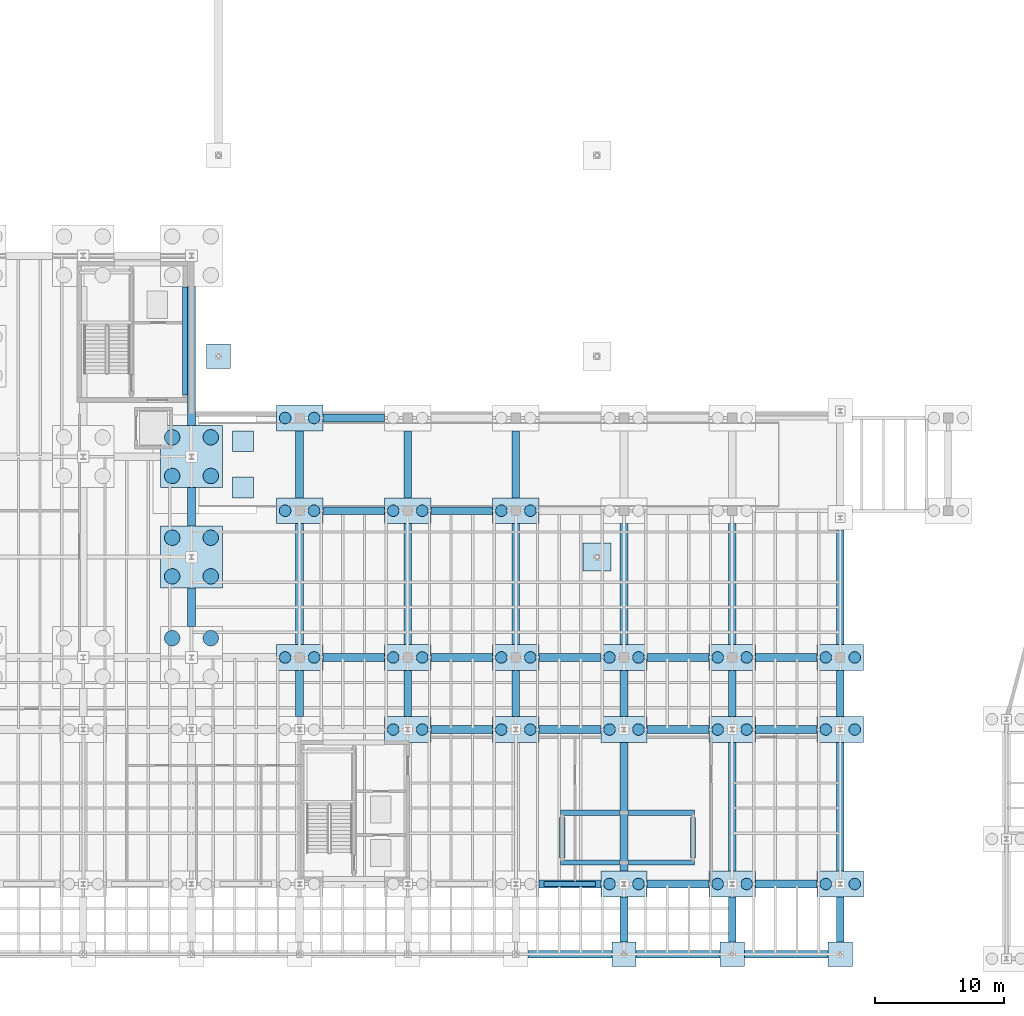
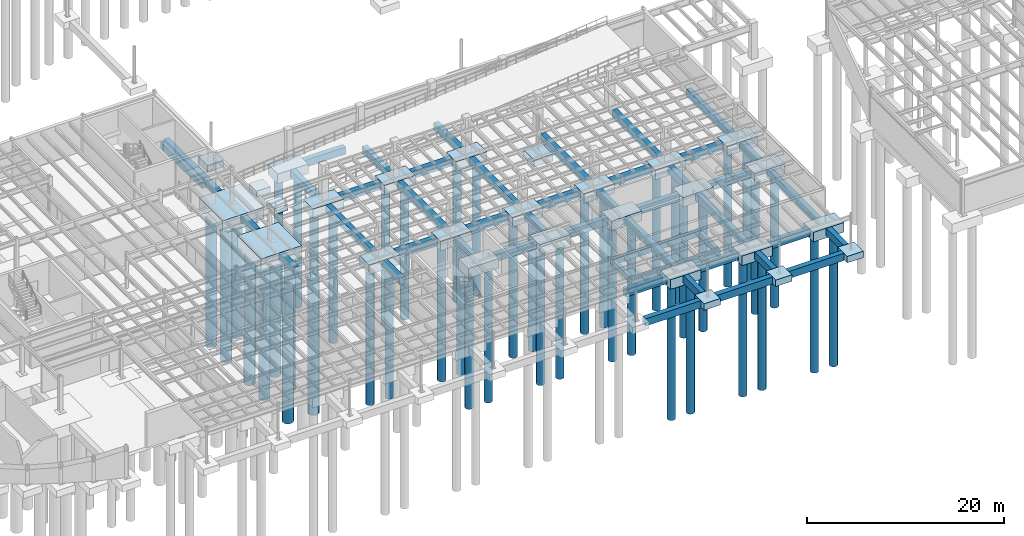
# One storey, part 3 of 41: 77 footings, 46 piles.
"""IFC4 building model written with IfcOpenShell, lengths in metres."""

from ifc_helpers import new_model, si_unit, direction, frame, origin, origin_2d, place, context, subcontext, project, spatial, rectangle, circle, extrude, material, material_profile, profile_set, type_object, element, save


model = new_model("IFC4")

# Units and contexts
model_context = context("Model", 3, precision=1e-05, world=origin(), true_north=direction((0.0, 1.0)))
body_context = subcontext(model_context, "Body", "Model", "MODEL_VIEW")
ifc_project = project(units=[si_unit("LENGTHUNIT", "METRE"), si_unit("AREAUNIT", "SQUARE_METRE"), si_unit("VOLUMEUNIT", "CUBIC_METRE"), si_unit("PLANEANGLEUNIT", "RADIAN"), si_unit("MASSUNIT", "GRAM", prefix="KILO")], contexts=[model_context])

# Site, building, storey
site_placement = place(None, origin())
site = spatial("IfcSite", under=ifc_project, at=site_placement, CompositionType="ELEMENT")
building_placement = place(site_placement, origin())
building = spatial("IfcBuilding", under=site, at=building_placement, Name="Selat Folded Stagehouse", CompositionType="ELEMENT")
storey_placement = place(building_placement, frame((0.0, 0.0, -4.5)))
storey = spatial("IfcBuildingStorey", under=building, at=storey_placement, Name="B1", CompositionType="ELEMENT", Elevation=-4.5)

# Footings
ifc_material = material(Name="Concrete C40/50", Category="concrete")
ifc_material_profile_1 = material_profile(ifc_material, rectangle(XDim=0.60009765625, YDim=0.89990234375, at=origin_2d()), Name="RC 900x600")
ifc_profile_set_1 = profile_set([ifc_material_profile_1], Name="Concrete C40/50")
footing_type_1 = type_object("IfcFootingType", Name="FTG-GB-600x900", PredefinedType="FOOTING_BEAM", material=ifc_profile_set_1)
for number, where, z_axis, x_axis, name in (
    (1, (93.35009765625, 0.35009765625, -0.449951171875), (1.0, 0.0, 0.0), (0.0, 1.0, 0.0), "Ground tie beam GB-X-010"),
    (2, (101.75, 0.35009765625, -0.449951171875), (1.0, 0.0, 0.0), (0.0, 1.0, 0.0), "Ground tie beam GB-X-011"),
    (3, (110.14990234375, 0.35009765625, -0.449951171875), (1.0, 0.0, 0.0), (0.0, 1.0, 0.0), "Ground tie beam GB-X-012"),
):
    element("IfcFooting", number, at=place(storey_placement, frame(where, z_axis=z_axis, x_axis=x_axis)), inside=storey, type_object=footing_type_1, Name=name, PredefinedType="FOOTING_BEAM", context=body_context, shape_type="SweptSolid", body=[
        extrude(rectangle(XDim=0.60009765625, YDim=0.89990234375, at=origin_2d()), origin(), (0.0, 0.0, 1.0), 6.5),
    ])
footing_1_placement = place(storey_placement, frame((94.199951171875, 5.800048828125, -0.449951171875), z_axis=(1.0, 0.0, 0.0), x_axis=(0.0, 1.0, 0.0)))
element("IfcFooting", 4, at=footing_1_placement, inside=storey, type_object=footing_type_1, Name="Ground tie beam GB-X-019", PredefinedType="FOOTING_BEAM", context=body_context, shape_type="SweptSolid", body=[
    extrude(rectangle(XDim=0.60009765625, YDim=0.89990234375, at=origin_2d()), origin(), (0.0, 0.0, 1.0), 4.800048828125),
])
footing_2_placement = place(storey_placement, frame((102.60009765625, 5.800048828125, -0.449951171875), z_axis=(1.0, 0.0, 0.0), x_axis=(0.0, 1.0, 0.0)))
element("IfcFooting", 5, at=footing_2_placement, inside=storey, type_object=footing_type_1, Name="Ground tie beam GB-X-020", PredefinedType="FOOTING_BEAM", context=body_context, shape_type="SweptSolid", body=[
    extrude(rectangle(XDim=0.60009765625, YDim=0.89990234375, at=origin_2d()), origin(), (0.0, 0.0, 1.0), 4.7998046875),
])
for number, where, z_axis, x_axis, name in (
    (6, (111.0, 5.800048828125, -0.449951171875), (1.0, 0.0, 0.0), (0.0, 1.0, 0.0), "Ground tie beam GB-X-021"),
    (7, (85.800048828125, 17.800048828125, -0.449951171875), (1.0, 0.0, 0.0), (0.0, 1.0, 0.0), "Ground tie beam GB-X-028"),
    (8, (94.199951171875, 17.800048828125, -0.449951171875), (1.0, 0.0, 0.0), (0.0, 1.0, 0.0), "Ground tie beam GB-X-029"),
):
    element("IfcFooting", number, at=place(storey_placement, frame(where, z_axis=z_axis, x_axis=x_axis)), inside=storey, type_object=footing_type_1, Name=name, PredefinedType="FOOTING_BEAM", context=body_context, shape_type="SweptSolid", body=[
        extrude(rectangle(XDim=0.60009765625, YDim=0.89990234375, at=origin_2d()), origin(), (0.0, 0.0, 1.0), 4.800048828125),
    ])
footing_3_placement = place(storey_placement, frame((102.60009765625, 17.800048828125, -0.449951171875), z_axis=(1.0, 0.0, 0.0), x_axis=(0.0, 1.0, 0.0)))
element("IfcFooting", 9, at=footing_3_placement, inside=storey, type_object=footing_type_1, Name="Ground tie beam GB-X-030", PredefinedType="FOOTING_BEAM", context=body_context, shape_type="SweptSolid", body=[
    extrude(rectangle(XDim=0.60009765625, YDim=0.89990234375, at=origin_2d()), origin(), (0.0, 0.0, 1.0), 4.7998046875),
])
for number, where, z_axis, x_axis, name in (
    (10, (111.0, 17.800048828125, -0.449951171875), (1.0, 0.0, 0.0), (0.0, 1.0, 0.0), "Ground tie beam GB-X-031"),
    (11, (77.39990234375, 23.39990234375, -0.449951171875), (1.0, 0.0, 0.0), (0.0, 1.0, 0.0), "Ground tie beam GB-X-040"),
    (12, (85.800048828125, 23.39990234375, -0.449951171875), (1.0, 0.0, 0.0), (0.0, 1.0, 0.0), "Ground tie beam GB-X-041"),
    (13, (94.199951171875, 23.39990234375, -0.449951171875), (1.0, 0.0, 0.0), (0.0, 1.0, 0.0), "Ground tie beam GB-X-042"),
):
    element("IfcFooting", number, at=place(storey_placement, frame(where, z_axis=z_axis, x_axis=x_axis)), inside=storey, type_object=footing_type_1, Name=name, PredefinedType="FOOTING_BEAM", context=body_context, shape_type="SweptSolid", body=[
        extrude(rectangle(XDim=0.60009765625, YDim=0.89990234375, at=origin_2d()), origin(), (0.0, 0.0, 1.0), 4.800048828125),
    ])
footing_4_placement = place(storey_placement, frame((102.60009765625, 23.39990234375, -0.449951171875), z_axis=(1.0, 0.0, 0.0), x_axis=(0.0, 1.0, 0.0)))
element("IfcFooting", 14, at=footing_4_placement, inside=storey, type_object=footing_type_1, Name="Ground tie beam GB-X-043", PredefinedType="FOOTING_BEAM", context=body_context, shape_type="SweptSolid", body=[
    extrude(rectangle(XDim=0.60009765625, YDim=0.89990234375, at=origin_2d()), origin(), (0.0, 0.0, 1.0), 4.7998046875),
])
for number, where, z_axis, x_axis, name in (
    (15, (111.0, 23.39990234375, -0.449951171875), (1.0, 0.0, 0.0), (0.0, 1.0, 0.0), "Ground tie beam GB-X-044"),
    (16, (77.39990234375, 34.800048828125, -0.449951171875), (1.0, 0.0, 0.0), (0.0, 1.0, 0.0), "Ground tie beam GB-X-051"),
    (17, (85.800048828125, 34.800048828125, -0.449951171875), (1.0, 0.0, 0.0), (0.0, 1.0, 0.0), "Ground tie beam GB-X-052"),
    (18, (77.39990234375, 42.0, -0.449951171875), (1.0, 0.0, 0.0), (0.0, 1.0, 0.0), "Ground tie beam GB-X-058"),
):
    element("IfcFooting", number, at=place(storey_placement, frame(where, z_axis=z_axis, x_axis=x_axis)), inside=storey, type_object=footing_type_1, Name=name, PredefinedType="FOOTING_BEAM", context=body_context, shape_type="SweptSolid", body=[
        extrude(rectangle(XDim=0.60009765625, YDim=0.89990234375, at=origin_2d()), origin(), (0.0, 0.0, 1.0), 4.800048828125),
    ])
for number, where, z_axis, x_axis, name in (
    (19, (67.199951171875, 25.800048828125, -0.449951171875), (0.0, 1.0, 0.0), (-1.0, 0.0, 0.0), "Ground tie beam GB-Y-113"),
    (20, (67.199951171875, 33.60009765625, -0.449951171875), (0.0, 1.0, 0.0), (-1.0, 0.0, 0.0), "Ground tie beam GB-Y-114"),
):
    element("IfcFooting", number, at=place(storey_placement, frame(where, z_axis=z_axis, x_axis=x_axis)), inside=storey, type_object=footing_type_1, Name=name, PredefinedType="FOOTING_BEAM", context=body_context, shape_type="SweptSolid", body=[
        extrude(rectangle(XDim=0.60009765625, YDim=0.89990234375, at=origin_2d()), origin(), (0.0, 0.0, 1.0), 3.0),
    ])
footing_5_placement = place(storey_placement, frame((67.199951171875, 41.39990234375, -0.449951171875), z_axis=(0.0, 1.0, 0.0), x_axis=(-1.0, 0.0, 0.0)))
element("IfcFooting", 21, at=footing_5_placement, inside=storey, type_object=footing_type_1, Name="Ground tie beam GB-Y-115", PredefinedType="FOOTING_BEAM", context=body_context, shape_type="SweptSolid", body=[
    extrude(rectangle(XDim=0.60009765625, YDim=0.89990234375, at=origin_2d()), origin(), (0.0, 0.0, 1.0), 10.800048828125),
])
footing_6_placement = place(storey_placement, frame((75.60009765625, 18.800048828125, -0.449951171875), z_axis=(0.0, 1.0, 0.0), x_axis=(-1.0, 0.0, 0.0)))
element("IfcFooting", 22, at=footing_6_placement, inside=storey, type_object=footing_type_1, Name="Ground tie beam GB-Y-119", PredefinedType="FOOTING_BEAM", context=body_context, shape_type="SweptSolid", body=[
    extrude(rectangle(XDim=0.60009765625, YDim=0.89990234375, at=origin_2d()), origin(), (0.0, 0.0, 1.0), 3.599853515625),
])
footing_7_placement = place(storey_placement, frame((75.60009765625, 24.39990234375, -0.449951171875), z_axis=(0.0, 1.0, 0.0), x_axis=(-1.0, 0.0, 0.0)))
element("IfcFooting", 23, at=footing_7_placement, inside=storey, type_object=footing_type_1, Name="Ground tie beam GB-Y-120", PredefinedType="FOOTING_BEAM", context=body_context, shape_type="SweptSolid", body=[
    extrude(rectangle(XDim=0.60009765625, YDim=0.89990234375, at=origin_2d()), origin(), (0.0, 0.0, 1.0), 9.400146484375),
])
footing_8_placement = place(storey_placement, frame((75.60009765625, 35.800048828125, -0.449951171875), z_axis=(0.0, 1.0, 0.0), x_axis=(-1.0, 0.0, 0.0)))
element("IfcFooting", 24, at=footing_8_placement, inside=storey, type_object=footing_type_1, Name="Ground tie beam GB-Y-121", PredefinedType="FOOTING_BEAM", context=body_context, shape_type="SweptSolid", body=[
    extrude(rectangle(XDim=0.60009765625, YDim=0.89990234375, at=origin_2d()), origin(), (0.0, 0.0, 1.0), 5.199951171875),
])
footing_9_placement = place(storey_placement, frame((84.0, 18.800048828125, -0.449951171875), z_axis=(0.0, 1.0, 0.0), x_axis=(-1.0, 0.0, 0.0)))
element("IfcFooting", 25, at=footing_9_placement, inside=storey, type_object=footing_type_1, Name="Ground tie beam GB-Y-124", PredefinedType="FOOTING_BEAM", context=body_context, shape_type="SweptSolid", body=[
    extrude(rectangle(XDim=0.60009765625, YDim=0.89990234375, at=origin_2d()), origin(), (0.0, 0.0, 1.0), 3.599853515625),
])
footing_10_placement = place(storey_placement, frame((84.0, 24.39990234375, -0.449951171875), z_axis=(0.0, 1.0, 0.0), x_axis=(-1.0, 0.0, 0.0)))
element("IfcFooting", 26, at=footing_10_placement, inside=storey, type_object=footing_type_1, Name="Ground tie beam GB-Y-125", PredefinedType="FOOTING_BEAM", context=body_context, shape_type="SweptSolid", body=[
    extrude(rectangle(XDim=0.60009765625, YDim=0.89990234375, at=origin_2d()), origin(), (0.0, 0.0, 1.0), 9.400146484375),
])
footing_11_placement = place(storey_placement, frame((84.0, 35.800048828125, -0.449951171875), z_axis=(0.0, 1.0, 0.0), x_axis=(-1.0, 0.0, 0.0)))
element("IfcFooting", 27, at=footing_11_placement, inside=storey, type_object=footing_type_1, Name="Ground tie beam GB-Y-126", PredefinedType="FOOTING_BEAM", context=body_context, shape_type="SweptSolid", body=[
    extrude(rectangle(XDim=0.60009765625, YDim=0.89990234375, at=origin_2d()), origin(), (0.0, 0.0, 1.0), 5.199951171875),
])
footing_12_placement = place(storey_placement, frame((92.39990234375, 18.800048828125, -0.449951171875), z_axis=(0.0, 1.0, 0.0), x_axis=(-1.0, 0.0, 0.0)))
element("IfcFooting", 28, at=footing_12_placement, inside=storey, type_object=footing_type_1, Name="Ground tie beam GB-Y-129", PredefinedType="FOOTING_BEAM", context=body_context, shape_type="SweptSolid", body=[
    extrude(rectangle(XDim=0.60009765625, YDim=0.89990234375, at=origin_2d()), origin(), (0.0, 0.0, 1.0), 3.599853515625),
])
footing_13_placement = place(storey_placement, frame((92.39990234375, 24.39990234375, -0.449951171875), z_axis=(0.0, 1.0, 0.0), x_axis=(-1.0, 0.0, 0.0)))
element("IfcFooting", 29, at=footing_13_placement, inside=storey, type_object=footing_type_1, Name="Ground tie beam GB-Y-130", PredefinedType="FOOTING_BEAM", context=body_context, shape_type="SweptSolid", body=[
    extrude(rectangle(XDim=0.60009765625, YDim=0.89990234375, at=origin_2d()), origin(), (0.0, 0.0, 1.0), 9.400146484375),
])
footing_14_placement = place(storey_placement, frame((92.39990234375, 35.800048828125, -0.449951171875), z_axis=(0.0, 1.0, 0.0), x_axis=(-1.0, 0.0, 0.0)))
element("IfcFooting", 30, at=footing_14_placement, inside=storey, type_object=footing_type_1, Name="Ground tie beam GB-Y-131", PredefinedType="FOOTING_BEAM", context=body_context, shape_type="SweptSolid", body=[
    extrude(rectangle(XDim=0.60009765625, YDim=0.89990234375, at=origin_2d()), origin(), (0.0, 0.0, 1.0), 5.199951171875),
])
footing_15_placement = place(storey_placement, frame((100.800048828125, 1.300048828125, -0.449951171875), z_axis=(0.0, 1.0, 0.0), x_axis=(-1.0, 0.0, 0.0)))
element("IfcFooting", 31, at=footing_15_placement, inside=storey, type_object=footing_type_1, Name="Ground tie beam GB-Y-134", PredefinedType="FOOTING_BEAM", context=body_context, shape_type="SweptSolid", body=[
    extrude(rectangle(XDim=0.60009765625, YDim=0.89990234375, at=origin_2d()), origin(), (0.0, 0.0, 1.0), 3.5),
])
footing_16_placement = place(storey_placement, frame((100.800048828125, 6.800048828125, -0.449951171875), z_axis=(0.0, 1.0, 0.0), x_axis=(-1.0, 0.0, 0.0)))
element("IfcFooting", 32, at=footing_16_placement, inside=storey, type_object=footing_type_1, Name="Ground tie beam GB-Y-135", PredefinedType="FOOTING_BEAM", context=body_context, shape_type="SweptSolid", body=[
    extrude(rectangle(XDim=0.60009765625, YDim=0.89990234375, at=origin_2d()), origin(), (0.0, 0.0, 1.0), 10.0),
])
footing_17_placement = place(storey_placement, frame((100.800048828125, 18.800048828125, -0.449951171875), z_axis=(0.0, 1.0, 0.0), x_axis=(-1.0, 0.0, 0.0)))
element("IfcFooting", 33, at=footing_17_placement, inside=storey, type_object=footing_type_1, Name="Ground tie beam GB-Y-136", PredefinedType="FOOTING_BEAM", context=body_context, shape_type="SweptSolid", body=[
    extrude(rectangle(XDim=0.60009765625, YDim=0.89990234375, at=origin_2d()), origin(), (0.0, 0.0, 1.0), 3.599853515625),
])
footing_18_placement = place(storey_placement, frame((100.800048828125, 24.39990234375, -0.449951171875), z_axis=(0.0, 1.0, 0.0), x_axis=(-1.0, 0.0, 0.0)))
element("IfcFooting", 34, at=footing_18_placement, inside=storey, type_object=footing_type_1, Name="Ground tie beam GB-Y-137", PredefinedType="FOOTING_BEAM", context=body_context, shape_type="SweptSolid", body=[
    extrude(rectangle(XDim=0.60009765625, YDim=0.89990234375, at=origin_2d()), origin(), (0.0, 0.0, 1.0), 9.400146484375),
])
footing_19_placement = place(storey_placement, frame((109.199951171875, 1.300048828125, -0.449951171875), z_axis=(0.0, 1.0, 0.0), x_axis=(-1.0, 0.0, 0.0)))
element("IfcFooting", 35, at=footing_19_placement, inside=storey, type_object=footing_type_1, Name="Ground tie beam GB-Y-139", PredefinedType="FOOTING_BEAM", context=body_context, shape_type="SweptSolid", body=[
    extrude(rectangle(XDim=0.60009765625, YDim=0.89990234375, at=origin_2d()), origin(), (0.0, 0.0, 1.0), 3.5),
])
footing_20_placement = place(storey_placement, frame((109.199951171875, 6.800048828125, -0.449951171875), z_axis=(0.0, 1.0, 0.0), x_axis=(-1.0, 0.0, 0.0)))
element("IfcFooting", 36, at=footing_20_placement, inside=storey, type_object=footing_type_1, Name="Ground tie beam GB-Y-140", PredefinedType="FOOTING_BEAM", context=body_context, shape_type="SweptSolid", body=[
    extrude(rectangle(XDim=0.60009765625, YDim=0.89990234375, at=origin_2d()), origin(), (0.0, 0.0, 1.0), 10.0),
])
footing_21_placement = place(storey_placement, frame((109.199951171875, 18.800048828125, -0.449951171875), z_axis=(0.0, 1.0, 0.0), x_axis=(-1.0, 0.0, 0.0)))
element("IfcFooting", 37, at=footing_21_placement, inside=storey, type_object=footing_type_1, Name="Ground tie beam GB-Y-141", PredefinedType="FOOTING_BEAM", context=body_context, shape_type="SweptSolid", body=[
    extrude(rectangle(XDim=0.60009765625, YDim=0.89990234375, at=origin_2d()), origin(), (0.0, 0.0, 1.0), 3.599853515625),
])
footing_22_placement = place(storey_placement, frame((109.199951171875, 24.39990234375, -0.449951171875), z_axis=(0.0, 1.0, 0.0), x_axis=(-1.0, 0.0, 0.0)))
element("IfcFooting", 38, at=footing_22_placement, inside=storey, type_object=footing_type_1, Name="Ground tie beam GB-Y-142", PredefinedType="FOOTING_BEAM", context=body_context, shape_type="SweptSolid", body=[
    extrude(rectangle(XDim=0.60009765625, YDim=0.89990234375, at=origin_2d()), origin(), (0.0, 0.0, 1.0), 9.400146484375),
])
footing_23_placement = place(storey_placement, frame((117.60009765625, 1.300048828125, -0.449951171875), z_axis=(0.0, 1.0, 0.0), x_axis=(-1.0, 0.0, 0.0)))
element("IfcFooting", 39, at=footing_23_placement, inside=storey, type_object=footing_type_1, Name="Ground tie beam GB-Y-144", PredefinedType="FOOTING_BEAM", context=body_context, shape_type="SweptSolid", body=[
    extrude(rectangle(XDim=0.60009765625, YDim=0.89990234375, at=origin_2d()), origin(), (0.0, 0.0, 1.0), 3.5),
])
footing_24_placement = place(storey_placement, frame((117.60009765625, 6.800048828125, -0.449951171875), z_axis=(0.0, 1.0, 0.0), x_axis=(-1.0, 0.0, 0.0)))
element("IfcFooting", 40, at=footing_24_placement, inside=storey, type_object=footing_type_1, Name="Ground tie beam GB-Y-145", PredefinedType="FOOTING_BEAM", context=body_context, shape_type="SweptSolid", body=[
    extrude(rectangle(XDim=0.60009765625, YDim=0.89990234375, at=origin_2d()), origin(), (0.0, 0.0, 1.0), 10.0),
])
footing_25_placement = place(storey_placement, frame((117.60009765625, 18.800048828125, -0.449951171875), z_axis=(0.0, 1.0, 0.0), x_axis=(-1.0, 0.0, 0.0)))
element("IfcFooting", 41, at=footing_25_placement, inside=storey, type_object=footing_type_1, Name="Ground tie beam GB-Y-146", PredefinedType="FOOTING_BEAM", context=body_context, shape_type="SweptSolid", body=[
    extrude(rectangle(XDim=0.60009765625, YDim=0.89990234375, at=origin_2d()), origin(), (0.0, 0.0, 1.0), 3.599853515625),
])
footing_26_placement = place(storey_placement, frame((117.60009765625, 24.39990234375, -0.449951171875), z_axis=(0.0, 1.0, 0.0), x_axis=(-1.0, 0.0, 0.0)))
element("IfcFooting", 42, at=footing_26_placement, inside=storey, type_object=footing_type_1, Name="Ground tie beam GB-Y-147", PredefinedType="FOOTING_BEAM", context=body_context, shape_type="SweptSolid", body=[
    extrude(rectangle(XDim=0.60009765625, YDim=0.89990234375, at=origin_2d()), origin(), (0.0, 0.0, 1.0), 8.900146484375),
])
footing_type_2 = type_object("IfcFootingType", Name="FTG-PAD-1600x1600x750", PredefinedType="PAD_FOOTING", material=ifc_material)
for number, where, z_axis, x_axis, name in (
    (43, (71.199951171875, 36.60009765625, -0.7099609375), (0.0, 0.0, 1.0), (1.0, 0.0, 0.0), "Ramp landing pad footing VRM-BOT-4"),
    (44, (71.199951171875, 40.199951171875, -0.7099609375), (0.0, 0.0, 1.0), (1.0, 0.0, 0.0), "Ramp landing pad footing VRM-BOT-5"),
):
    element("IfcFooting", number, at=place(storey_placement, frame(where, z_axis=z_axis, x_axis=x_axis)), inside=storey, type_object=footing_type_2, Name=name, PredefinedType="PAD_FOOTING", context=body_context, shape_type="SweptSolid", body=[
        extrude(rectangle(XDim=1.60009765625, YDim=1.60009765625, at=origin_2d()), origin(), (0.0, 0.0, 1.0), 0.75),
    ])
footing_type_3 = type_object("IfcFootingType", Name="FTG-PAD-1900x1900x800", PredefinedType="PAD_FOOTING", material=ifc_material)
for number, where, z_axis, x_axis, name in (
    (45, (100.800048828125, 0.35009765625, -0.7998046875), (0.0, 0.0, 1.0), (1.0, 0.0, 0.0), "Foundation STK-COLPOST-100"),
    (46, (109.199951171875, 0.35009765625, -0.7998046875), (0.0, 0.0, 1.0), (1.0, 0.0, 0.0), "Foundation STK-COLPOST-109"),
    (47, (117.60009765625, 0.35009765625, -0.7998046875), (0.0, 0.0, 1.0), (1.0, 0.0, 0.0), "Foundation STK-COLPOST-117"),
    (48, (69.300048828125, 46.800048828125, -0.7998046875), (0.0, 0.0, 1.0), (1.0, 0.0, 0.0), "Foundation STK-BR1-468"),
):
    element("IfcFooting", number, at=place(storey_placement, frame(where, z_axis=z_axis, x_axis=x_axis)), inside=storey, type_object=footing_type_3, Name=name, PredefinedType="PAD_FOOTING", context=body_context, shape_type="SweptSolid", body=[
        extrude(rectangle(XDim=1.89990234375, YDim=1.89990234375, at=origin_2d()), origin(), (0.0, 0.0, 1.0), 0.800048828125),
    ])
footing_type_4 = type_object("IfcFootingType", Name="FTG-PAD-2200x2200x850", PredefinedType="PAD_FOOTING", material=ifc_material)
footing_27_placement = place(storey_placement, frame((98.699951171875, 31.199951171875, -0.85009765625), z_axis=(0.0, 0.0, 1.0), x_axis=(1.0, 0.0, 0.0)))
element("IfcFooting", 49, at=footing_27_placement, inside=storey, type_object=footing_type_4, Name="Foundation STK-BR2-312", PredefinedType="PAD_FOOTING", context=body_context, shape_type="SweptSolid", body=[
    extrude(rectangle(XDim=2.199951171875, YDim=2.199951171875, at=origin_2d()), origin(), (0.0, 0.0, 1.0), 0.85009765625),
])
footing_type_5 = type_object("IfcFootingType", Name="FTG-PC-3600x2000x1200", PredefinedType="PILE_CAP", material=ifc_material)
for number, where, z_axis, x_axis, name in (
    (50, (84.0, 17.800048828125, -1.2001953125), (0.0, 0.0, 1.0), (1.0, 0.0, 0.0), "Foundation STK-V5-84-178"),
    (51, (92.39990234375, 17.800048828125, -1.2001953125), (0.0, 0.0, 1.0), (1.0, 0.0, 0.0), "Foundation STK-V5-92-178"),
    (52, (100.800048828125, 5.800048828125, -1.2001953125), (0.0, 0.0, 1.0), (1.0, 0.0, 0.0), "Foundation STK-V5-100-58"),
    (53, (100.800048828125, 17.800048828125, -1.2001953125), (0.0, 0.0, 1.0), (1.0, 0.0, 0.0), "Foundation STK-V5-100-178"),
    (54, (109.199951171875, 5.800048828125, -1.2001953125), (0.0, 0.0, 1.0), (1.0, 0.0, 0.0), "Foundation STK-V5-109-58"),
    (55, (109.199951171875, 17.800048828125, -1.2001953125), (0.0, 0.0, 1.0), (1.0, 0.0, 0.0), "Foundation STK-V5-109-178"),
    (56, (117.60009765625, 5.800048828125, -1.2001953125), (0.0, 0.0, 1.0), (1.0, 0.0, 0.0), "Foundation STK-V5-117-58"),
    (57, (117.60009765625, 17.800048828125, -1.2001953125), (0.0, 0.0, 1.0), (1.0, 0.0, 0.0), "Foundation STK-V5-117-178"),
    (58, (75.60009765625, 23.39990234375, -1.2001953125), (0.0, 0.0, 1.0), (1.0, 0.0, 0.0), "Foundation STK-B1CP-75-234"),
    (59, (75.60009765625, 34.800048828125, -1.2001953125), (0.0, 0.0, 1.0), (1.0, 0.0, 0.0), "Foundation STK-B1CP-75-348"),
    (60, (75.60009765625, 42.0, -1.2001953125), (0.0, 0.0, 1.0), (1.0, 0.0, 0.0), "Foundation STK-B1CP-75-420"),
    (61, (84.0, 23.39990234375, -1.2001953125), (0.0, 0.0, 1.0), (1.0, 0.0, 0.0), "Foundation STK-B1CP-84-234"),
    (62, (84.0, 34.800048828125, -1.2001953125), (0.0, 0.0, 1.0), (1.0, 0.0, 0.0), "Foundation STK-B1CP-84-348"),
    (63, (92.39990234375, 23.39990234375, -1.2001953125), (0.0, 0.0, 1.0), (1.0, 0.0, 0.0), "Foundation STK-B1CP-92-234"),
    (64, (92.39990234375, 34.800048828125, -1.2001953125), (0.0, 0.0, 1.0), (1.0, 0.0, 0.0), "Foundation STK-B1CP-92-348"),
    (65, (100.800048828125, 23.39990234375, -1.2001953125), (0.0, 0.0, 1.0), (1.0, 0.0, 0.0), "Foundation STK-B1CP-100-234"),
    (66, (109.199951171875, 23.39990234375, -1.2001953125), (0.0, 0.0, 1.0), (1.0, 0.0, 0.0), "Foundation STK-B1CP-109-234"),
    (67, (117.60009765625, 23.39990234375, -1.2001953125), (0.0, 0.0, 1.0), (1.0, 0.0, 0.0), "Foundation STK-B1CP-117-234"),
):
    element("IfcFooting", number, at=place(storey_placement, frame(where, z_axis=z_axis, x_axis=x_axis)), inside=storey, type_object=footing_type_5, Name=name, PredefinedType="PILE_CAP", context=body_context, shape_type="SweptSolid", body=[
        extrude(rectangle(XDim=3.60009765625, YDim=2.0, at=origin_2d()), origin(), (0.0, 0.0, 1.0), 1.199951171875),
    ])
footing_type_6 = type_object("IfcFootingType", Name="FTG-PC-4800x4800x1400", PredefinedType="PILE_CAP", material=ifc_material)
for number, where, z_axis, x_axis, name in (
    (68, (67.199951171875, 31.199951171875, -1.39990234375), (0.0, 0.0, 1.0), (1.0, 0.0, 0.0), "Foundation STK-V2-22"),
    (69, (67.199951171875, 39.0, -1.39990234375), (0.0, 0.0, 1.0), (1.0, 0.0, 0.0), "Foundation STK-V2-23"),
):
    element("IfcFooting", number, at=place(storey_placement, frame(where, z_axis=z_axis, x_axis=x_axis)), inside=storey, type_object=footing_type_6, Name=name, PredefinedType="PILE_CAP", context=body_context, shape_type="SweptSolid", body=[
        extrude(rectangle(XDim=4.800048828125, YDim=4.800048828125, at=origin_2d()), origin(), (0.0, 0.0, 1.0), 1.39990234375),
    ])
ifc_material_profile_2 = material_profile(ifc_material, rectangle(XDim=0.39990234375, YDim=0.699951171875, at=origin_2d()), Name="RC 700x400")
ifc_profile_set_2 = profile_set([ifc_material_profile_2], Name="Concrete C40/50")
footing_type_7 = type_object("IfcFootingType", Name="FTG-SF-700x400", PredefinedType="STRIP_FOOTING", material=ifc_profile_set_2)
footing_28_placement = place(storey_placement, frame((94.60009765625, 5.800048828125, -0.35009765625), z_axis=(1.0, 0.0, 0.0), x_axis=(0.0, 1.0, 0.0)))
element("IfcFooting", 70, at=footing_28_placement, inside=storey, type_object=footing_type_7, Name="Perimeter strip footing SF-06", PredefinedType="STRIP_FOOTING", context=body_context, shape_type="SweptSolid", body=[
    extrude(rectangle(XDim=0.39990234375, YDim=0.699951171875, at=origin_2d()), origin(), (0.0, 0.0, 1.0), 4.0),
])
footing_29_placement = place(storey_placement, frame((66.699951171875, 43.780029296875, -0.60009765625), z_axis=(0.0, 1.0, 0.0), x_axis=(-1.0, 0.0, 0.0)))
element("IfcFooting", 71, at=footing_29_placement, inside=storey, type_object=footing_type_7, Name="Core wall strip footing CR-CR-2-E 8", PredefinedType="STRIP_FOOTING", context=body_context, shape_type="SweptSolid", body=[
    extrude(rectangle(XDim=0.39990234375, YDim=0.699951171875, at=origin_2d()), origin(), (0.0, 0.0, 1.0), 8.39990234375),
])
footing_30_placement = place(storey_placement, frame((95.8798828125, 7.4599609375, -0.60009765625), z_axis=(1.0, 0.0, 0.0), x_axis=(0.0, 1.0, 0.0)))
element("IfcFooting", 72, at=footing_30_placement, inside=storey, type_object=footing_type_7, Name="Core wall strip footing ST08-S 13", PredefinedType="STRIP_FOOTING", context=body_context, shape_type="SweptSolid", body=[
    extrude(rectangle(XDim=0.39990234375, YDim=0.699951171875, at=origin_2d()), origin(), (0.0, 0.0, 1.0), 4.570068359375),
])
footing_31_placement = place(storey_placement, frame((101.14990234375, 7.4599609375, -0.60009765625), z_axis=(1.0, 0.0, 0.0), x_axis=(0.0, 1.0, 0.0)))
element("IfcFooting", 73, at=footing_31_placement, inside=storey, type_object=footing_type_7, Name="Core wall strip footing ST08-S 14", PredefinedType="STRIP_FOOTING", context=body_context, shape_type="SweptSolid", body=[
    extrude(rectangle(XDim=0.39990234375, YDim=0.699951171875, at=origin_2d()), origin(), (0.0, 0.0, 1.0), 5.130126953125),
])
footing_32_placement = place(storey_placement, frame((95.8798828125, 11.340087890625, -0.60009765625), z_axis=(1.0, 0.0, 0.0), x_axis=(0.0, 1.0, 0.0)))
element("IfcFooting", 74, at=footing_32_placement, inside=storey, type_object=footing_type_7, Name="Core wall strip footing ST08-N 15", PredefinedType="STRIP_FOOTING", context=body_context, shape_type="SweptSolid", body=[
    extrude(rectangle(XDim=0.39990234375, YDim=0.699951171875, at=origin_2d()), origin(), (0.0, 0.0, 1.0), 4.570068359375),
])
footing_33_placement = place(storey_placement, frame((101.14990234375, 11.340087890625, -0.60009765625), z_axis=(1.0, 0.0, 0.0), x_axis=(0.0, 1.0, 0.0)))
element("IfcFooting", 75, at=footing_33_placement, inside=storey, type_object=footing_type_7, Name="Core wall strip footing ST08-N 16", PredefinedType="STRIP_FOOTING", context=body_context, shape_type="SweptSolid", body=[
    extrude(rectangle(XDim=0.39990234375, YDim=0.699951171875, at=origin_2d()), origin(), (0.0, 0.0, 1.0), 5.130126953125),
])
for number, where, z_axis, x_axis, name in (
    (76, (96.0, 7.840087890625, -0.60009765625), (0.0, 1.0, 0.0), (-1.0, 0.0, 0.0), "Core wall strip footing ST08-W 17"),
    (77, (106.159912109375, 7.840087890625, -0.60009765625), (0.0, 1.0, 0.0), (-1.0, 0.0, 0.0), "Core wall strip footing ST08-E 18"),
):
    element("IfcFooting", number, at=place(storey_placement, frame(where, z_axis=z_axis, x_axis=x_axis)), inside=storey, type_object=footing_type_7, Name=name, PredefinedType="STRIP_FOOTING", context=body_context, shape_type="SweptSolid", body=[
        extrude(rectangle(XDim=0.39990234375, YDim=0.699951171875, at=origin_2d()), origin(), (0.0, 0.0, 1.0), 3.119873046875),
    ])

# Piles
ifc_material_profile_3 = material_profile(ifc_material, circle(Radius=0.60009765625, at=origin_2d()), Name="PILE D1200")
ifc_profile_set_3 = profile_set([ifc_material_profile_3], Name="Concrete C40/50")
pile_type_1 = type_object("IfcPileType", Name="PILE-BORED-1200-B1", PredefinedType="BORED", material=ifc_profile_set_3)
for number, where, z_axis, x_axis, name in (
    (78, (68.699951171875, 24.89990234375, -1.300048828125), (0.0, 0.0, -1.0), (1.0, 0.0, 0.0), "Bored pile PIL-STK-V2-21-3"),
    (79, (65.699951171875, 24.89990234375, -1.300048828125), (0.0, 0.0, -1.0), (1.0, 0.0, 0.0), "Bored pile PIL-STK-V2-21-4"),
    (80, (65.699951171875, 29.699951171875, -1.300048828125), (0.0, 0.0, -1.0), (1.0, 0.0, 0.0), "Bored pile PIL-STK-V2-22-1"),
    (81, (68.699951171875, 29.699951171875, -1.300048828125), (0.0, 0.0, -1.0), (1.0, 0.0, 0.0), "Bored pile PIL-STK-V2-22-2"),
    (82, (68.699951171875, 32.699951171875, -1.300048828125), (0.0, 0.0, -1.0), (1.0, 0.0, 0.0), "Bored pile PIL-STK-V2-22-3"),
    (83, (65.699951171875, 32.699951171875, -1.300048828125), (0.0, 0.0, -1.0), (1.0, 0.0, 0.0), "Bored pile PIL-STK-V2-22-4"),
    (84, (65.699951171875, 37.5, -1.300048828125), (0.0, 0.0, -1.0), (1.0, 0.0, 0.0), "Bored pile PIL-STK-V2-23-1"),
    (85, (68.699951171875, 37.5, -1.300048828125), (0.0, 0.0, -1.0), (1.0, 0.0, 0.0), "Bored pile PIL-STK-V2-23-2"),
    (86, (68.699951171875, 40.5, -1.300048828125), (0.0, 0.0, -1.0), (1.0, 0.0, 0.0), "Bored pile PIL-STK-V2-23-3"),
    (87, (65.699951171875, 40.5, -1.300048828125), (0.0, 0.0, -1.0), (1.0, 0.0, 0.0), "Bored pile PIL-STK-V2-23-4"),
):
    element("IfcPile", number, at=place(storey_placement, frame(where, z_axis=z_axis, x_axis=x_axis)), inside=storey, type_object=pile_type_1, Name=name, PredefinedType="BORED", context=body_context, shape_type="SweptSolid", body=[
        extrude(circle(Radius=0.60009765625, at=origin_2d()), origin(), (0.0, 0.0, 1.0), 16.699951171875),
    ])
ifc_material_profile_4 = material_profile(ifc_material, circle(Radius=0.449951171875, at=origin_2d()), Name="PILE D900")
ifc_profile_set_4 = profile_set([ifc_material_profile_4], Name="Concrete C40/50")
pile_type_2 = type_object("IfcPileType", Name="PILE-BORED-900-B1", PredefinedType="BORED", material=ifc_profile_set_4)
for number, where, z_axis, x_axis, name in (
    (88, (82.875, 17.800048828125, -1.10009765625), (0.0, 0.0, -1.0), (1.0, 0.0, 0.0), "Bored pile PIL-STK-V5-84-178-1"),
    (89, (85.125, 17.800048828125, -1.10009765625), (0.0, 0.0, -1.0), (1.0, 0.0, 0.0), "Bored pile PIL-STK-V5-84-178-2"),
    (90, (91.27490234375, 17.800048828125, -1.10009765625), (0.0, 0.0, -1.0), (1.0, 0.0, 0.0), "Bored pile PIL-STK-V5-92-178-1"),
    (91, (93.52490234375, 17.800048828125, -1.10009765625), (0.0, 0.0, -1.0), (1.0, 0.0, 0.0), "Bored pile PIL-STK-V5-92-178-2"),
    (92, (99.675048828125, 5.800048828125, -1.10009765625), (0.0, 0.0, -1.0), (1.0, 0.0, 0.0), "Bored pile PIL-STK-V5-100-58-1"),
    (93, (101.925048828125, 5.800048828125, -1.10009765625), (0.0, 0.0, -1.0), (1.0, 0.0, 0.0), "Bored pile PIL-STK-V5-100-58-2"),
    (94, (99.675048828125, 17.800048828125, -1.10009765625), (0.0, 0.0, -1.0), (1.0, 0.0, 0.0), "Bored pile PIL-STK-V5-100-178-1"),
    (95, (101.925048828125, 17.800048828125, -1.10009765625), (0.0, 0.0, -1.0), (1.0, 0.0, 0.0), "Bored pile PIL-STK-V5-100-178-2"),
    (96, (108.074951171875, 5.800048828125, -1.10009765625), (0.0, 0.0, -1.0), (1.0, 0.0, 0.0), "Bored pile PIL-STK-V5-109-58-1"),
    (97, (110.324951171875, 5.800048828125, -1.10009765625), (0.0, 0.0, -1.0), (1.0, 0.0, 0.0), "Bored pile PIL-STK-V5-109-58-2"),
    (98, (108.074951171875, 17.800048828125, -1.10009765625), (0.0, 0.0, -1.0), (1.0, 0.0, 0.0), "Bored pile PIL-STK-V5-109-178-1"),
    (99, (110.324951171875, 17.800048828125, -1.10009765625), (0.0, 0.0, -1.0), (1.0, 0.0, 0.0), "Bored pile PIL-STK-V5-109-178-2"),
    (100, (116.47509765625, 5.800048828125, -1.10009765625), (0.0, 0.0, -1.0), (1.0, 0.0, 0.0), "Bored pile PIL-STK-V5-117-58-1"),
    (101, (118.72509765625, 5.800048828125, -1.10009765625), (0.0, 0.0, -1.0), (1.0, 0.0, 0.0), "Bored pile PIL-STK-V5-117-58-2"),
    (102, (116.47509765625, 17.800048828125, -1.10009765625), (0.0, 0.0, -1.0), (1.0, 0.0, 0.0), "Bored pile PIL-STK-V5-117-178-1"),
    (103, (118.72509765625, 17.800048828125, -1.10009765625), (0.0, 0.0, -1.0), (1.0, 0.0, 0.0), "Bored pile PIL-STK-V5-117-178-2"),
    (104, (74.47509765625, 23.39990234375, -1.10009765625), (0.0, 0.0, -1.0), (1.0, 0.0, 0.0), "Bored pile PIL-STK-B1CP-75-234-1"),
    (105, (76.72509765625, 23.39990234375, -1.10009765625), (0.0, 0.0, -1.0), (1.0, 0.0, 0.0), "Bored pile PIL-STK-B1CP-75-234-2"),
    (106, (74.47509765625, 34.800048828125, -1.10009765625), (0.0, 0.0, -1.0), (1.0, 0.0, 0.0), "Bored pile PIL-STK-B1CP-75-348-1"),
    (107, (76.72509765625, 34.800048828125, -1.10009765625), (0.0, 0.0, -1.0), (1.0, 0.0, 0.0), "Bored pile PIL-STK-B1CP-75-348-2"),
    (108, (74.47509765625, 42.0, -1.10009765625), (0.0, 0.0, -1.0), (1.0, 0.0, 0.0), "Bored pile PIL-STK-B1CP-75-420-1"),
    (109, (76.72509765625, 42.0, -1.10009765625), (0.0, 0.0, -1.0), (1.0, 0.0, 0.0), "Bored pile PIL-STK-B1CP-75-420-2"),
    (110, (82.875, 23.39990234375, -1.10009765625), (0.0, 0.0, -1.0), (1.0, 0.0, 0.0), "Bored pile PIL-STK-B1CP-84-234-1"),
    (111, (85.125, 23.39990234375, -1.10009765625), (0.0, 0.0, -1.0), (1.0, 0.0, 0.0), "Bored pile PIL-STK-B1CP-84-234-2"),
    (112, (82.875, 34.800048828125, -1.10009765625), (0.0, 0.0, -1.0), (1.0, 0.0, 0.0), "Bored pile PIL-STK-B1CP-84-348-1"),
    (113, (85.125, 34.800048828125, -1.10009765625), (0.0, 0.0, -1.0), (1.0, 0.0, 0.0), "Bored pile PIL-STK-B1CP-84-348-2"),
    (114, (91.27490234375, 23.39990234375, -1.10009765625), (0.0, 0.0, -1.0), (1.0, 0.0, 0.0), "Bored pile PIL-STK-B1CP-92-234-1"),
    (115, (93.52490234375, 23.39990234375, -1.10009765625), (0.0, 0.0, -1.0), (1.0, 0.0, 0.0), "Bored pile PIL-STK-B1CP-92-234-2"),
    (116, (91.27490234375, 34.800048828125, -1.10009765625), (0.0, 0.0, -1.0), (1.0, 0.0, 0.0), "Bored pile PIL-STK-B1CP-92-348-1"),
    (117, (93.52490234375, 34.800048828125, -1.10009765625), (0.0, 0.0, -1.0), (1.0, 0.0, 0.0), "Bored pile PIL-STK-B1CP-92-348-2"),
    (118, (99.675048828125, 23.39990234375, -1.10009765625), (0.0, 0.0, -1.0), (1.0, 0.0, 0.0), "Bored pile PIL-STK-B1CP-100-234-1"),
    (119, (101.925048828125, 23.39990234375, -1.10009765625), (0.0, 0.0, -1.0), (1.0, 0.0, 0.0), "Bored pile PIL-STK-B1CP-100-234-2"),
    (120, (108.074951171875, 23.39990234375, -1.10009765625), (0.0, 0.0, -1.0), (1.0, 0.0, 0.0), "Bored pile PIL-STK-B1CP-109-234-1"),
    (121, (110.324951171875, 23.39990234375, -1.10009765625), (0.0, 0.0, -1.0), (1.0, 0.0, 0.0), "Bored pile PIL-STK-B1CP-109-234-2"),
    (122, (116.47509765625, 23.39990234375, -1.10009765625), (0.0, 0.0, -1.0), (1.0, 0.0, 0.0), "Bored pile PIL-STK-B1CP-117-234-1"),
    (123, (118.72509765625, 23.39990234375, -1.10009765625), (0.0, 0.0, -1.0), (1.0, 0.0, 0.0), "Bored pile PIL-STK-B1CP-117-234-2"),
):
    element("IfcPile", number, at=place(storey_placement, frame(where, z_axis=z_axis, x_axis=x_axis)), inside=storey, type_object=pile_type_2, Name=name, PredefinedType="BORED", context=body_context, shape_type="SweptSolid", body=[
        extrude(circle(Radius=0.449951171875, at=origin_2d()), origin(), (0.0, 0.0, 1.0), 16.89990234375),
    ])

save(model, "model.ifc")
